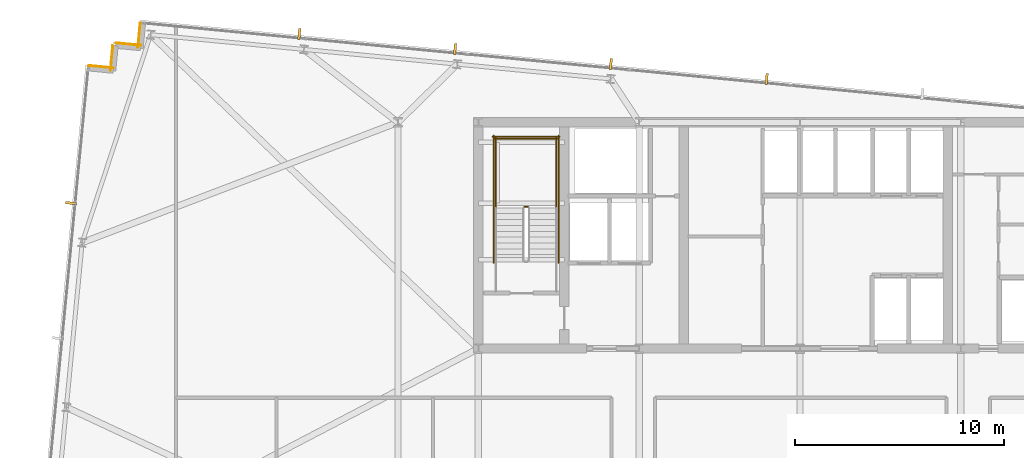
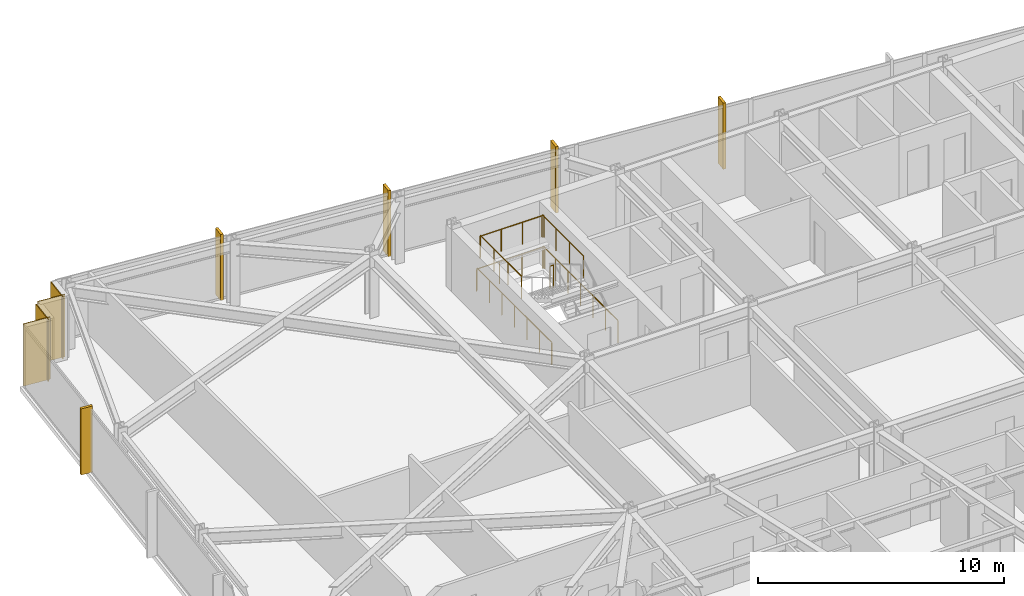
# One storey, part 36 of 37: 7 railings, 5 shading devices, 4 coverings.
"""IFC4 building model written with IfcOpenShell, lengths in metres."""

from ifc_helpers import new_model, si_unit, direction, frame, frame_2d, origin, origin_2d, place, context, subcontext, project, spatial, rectangle, circle, extrude, material, layer, layer_set, type_object, element, save


model = new_model("IFC4")

# Units and contexts
model_context = context("Model", 3, precision=1e-05, world=origin(), true_north=direction((0.0, 1.0)))
body_context = subcontext(model_context, "Body", "Model", "MODEL_VIEW")
ifc_project = project(units=[si_unit("LENGTHUNIT", "METRE"), si_unit("AREAUNIT", "SQUARE_METRE"), si_unit("VOLUMEUNIT", "CUBIC_METRE"), si_unit("PLANEANGLEUNIT", "RADIAN"), si_unit("MASSUNIT", "GRAM", prefix="KILO")], contexts=[model_context])

# Site, building, storey
site_placement = place(None, origin())
site = spatial("IfcSite", under=ifc_project, at=site_placement, CompositionType="ELEMENT")
building_placement = place(site_placement, origin())
building = spatial("IfcBuilding", under=site, at=building_placement, Name="Yelkora Congress Tower", CompositionType="ELEMENT")
storey_placement = place(building_placement, frame((0.0, 0.0, 168.800048828125)))
storey = spatial("IfcBuildingStorey", under=building, at=storey_placement, Name="L46", CompositionType="ELEMENT", Elevation=168.800048828125)

# Coverings
ifc_material_1 = material(Name="Anatolian bush-hammered limestone", Category="masonry")
ifc_layer_1 = layer(ifc_material_1, 0.0400390625)
ifc_layer_set_1 = layer_set([ifc_layer_1], Name="Anatolian bush-hammered limestone")
covering_type = type_object("IfcCoveringType", Name="COV-CLAD-SPANDREL-40", PredefinedType="CLADDING", material=ifc_layer_set_1)
for number, where, z_axis, x_axis, name in (
    (1, (4.423583984375, 48.9130859375, 0.0), (0.0, 0.0, 1.0), (0.995398960025, -0.095817067274, 0.0), "L46 Anatolian Limestone Cladding EW-L46-SR06"),
    (2, (5.470703125, 48.676513671875, 0.0), (0.0, 0.0, 1.0), (0.095817067274, 0.995398960025, 0.0), "L46 Anatolian Limestone Cladding EW-L46-SR07"),
):
    element("IfcCovering", number, at=place(storey_placement, frame(where, z_axis=z_axis, x_axis=x_axis)), inside=storey, type_object=covering_type, Name=name, PredefinedType="CLADDING", context=body_context, shape_type="SweptSolid", body=[
        extrude(rectangle(XDim=1.2001953125, YDim=0.0400390625, at=frame_2d((0.60009765625, 0.0))), origin(), (0.0, 0.0, 1.0), 3.079833984375),
    ])
covering_1_placement = place(storey_placement, frame((5.733154296875, 49.992431640625, 0.0), z_axis=(0.0, 0.0, 1.0), x_axis=(0.995397091755, -0.095836473879, 0.0)))
element("IfcCovering", 3, at=covering_1_placement, inside=storey, type_object=covering_type, Name="L46 Anatolian Limestone Cladding EW-L46-SR08", PredefinedType="CLADDING", context=body_context, shape_type="SweptSolid", body=[
    extrude(rectangle(XDim=1.199951171875, YDim=0.0400390625, at=frame_2d((0.60009765625, 0.0))), origin(), (0.0, 0.0, 1.0), 3.079833984375),
])
covering_2_placement = place(storey_placement, frame((6.780029296875, 49.756103515625, 0.0), z_axis=(0.0, 0.0, 1.0), x_axis=(0.096018626938, 0.995379537303, 0.0)))
element("IfcCovering", 4, at=covering_2_placement, inside=storey, type_object=covering_type, Name="L46 Anatolian Limestone Cladding EW-L46-SR09", PredefinedType="CLADDING", context=body_context, shape_type="SweptSolid", body=[
    extrude(rectangle(XDim=1.2001953125, YDim=0.0400390625, at=frame_2d((0.60009765625, 0.0))), origin(), (0.0, 0.0, 1.0), 3.079833984375),
])

# Railings
ifc_material_2 = material(Name="Painted galvanised steel stair well guard with vertical infill", Category="steel")
ifc_layer_2 = layer(ifc_material_2, 0.06005859375)
ifc_layer_set_2 = layer_set([ifc_layer_2], Name="Painted galvanised steel stair well guard with vertical infill")
railing_type = type_object("IfcRailingType", Name="RAIL-STAIR-GUARD-1120", PredefinedType="GUARDRAIL", material=ifc_layer_set_2)
railing_1_placement = place(storey_placement, frame((25.39990234375, 42.169921875, 1.64990234375)))
element("IfcRailing", 5, at=railing_1_placement, inside=storey, type_object=railing_type, Name="ST-01 L46 Stair Well Guardrail 2", PredefinedType="GUARDRAIL", context=body_context, shape_type="SweptSolid", body=[
    extrude(circle(Radius=0.02392578125, at=origin_2d()), frame((0.0, 0.0, 1.09619140625), z_axis=(-1.0, 0.0, 0.0), x_axis=(0.0, -1.0, 0.0)), (0.0, 0.0, 1.0), 0.159912109375),
    extrude(circle(Radius=0.02099609375, at=origin_2d()), origin(), (0.0, 0.0, 1.0), 1.072021484375),
    extrude(circle(Radius=0.02099609375, at=origin_2d()), frame((-0.159912109375, 0.0, 0.0)), (0.0, 0.0, 1.0), 1.072021484375),
])
for number, where, name in (
    (6, (26.77001953125, 42.1201171875, 1.64990234375), "ST-01 L46 Stair Well Guardrail 3"),
    (7, (23.8701171875, 42.1201171875, 1.64990234375), "ST-01 L46 Stair Well Guardrail 4"),
):
    element("IfcRailing", number, at=place(storey_placement, frame(where)), inside=storey, type_object=railing_type, Name=name, PredefinedType="GUARDRAIL", context=body_context, shape_type="SweptSolid", body=[
        extrude(circle(Radius=0.02392578125, at=origin_2d()), frame((0.0, 0.0, 1.09619140625), z_axis=(0.0, 1.0, 0.0), x_axis=(-1.0, 0.0, 0.0)), (0.0, 0.0, 1.0), 3.349853515625),
        extrude(circle(Radius=0.02099609375, at=origin_2d()), origin(), (0.0, 0.0, 1.0), 1.072021484375),
        extrude(circle(Radius=0.02099609375, at=origin_2d()), frame((0.0, 1.11669921875, 0.0)), (0.0, 0.0, 1.0), 1.072021484375),
        extrude(circle(Radius=0.02099609375, at=origin_2d()), frame((0.0, 2.233154296875, 0.0)), (0.0, 0.0, 1.0), 1.072021484375),
        extrude(circle(Radius=0.02099609375, at=origin_2d()), frame((0.0, 3.349853515625, 0.0)), (0.0, 0.0, 1.0), 1.072021484375),
    ])
railing_2_placement = place(storey_placement, frame((26.820068359375, 45.419921875, 1.64990234375)))
element("IfcRailing", 8, at=railing_2_placement, inside=storey, type_object=railing_type, Name="ST-01 L46 Stair Well Guardrail 5", PredefinedType="GUARDRAIL", context=body_context, shape_type="SweptSolid", body=[
    extrude(circle(Radius=0.02392578125, at=origin_2d()), frame((0.0, 0.0, 1.09619140625), z_axis=(-1.0, 0.0, 0.0), x_axis=(0.0, -1.0, 0.0)), (0.0, 0.0, 1.0), 3.0),
    extrude(circle(Radius=0.02099609375, at=origin_2d()), origin(), (0.0, 0.0, 1.0), 1.072021484375),
    extrude(circle(Radius=0.02099609375, at=origin_2d()), frame((-1.0, 0.0, 0.0)), (0.0, 0.0, 1.0), 1.072021484375),
    extrude(circle(Radius=0.02099609375, at=origin_2d()), frame((-2.0, 0.0, 0.0)), (0.0, 0.0, 1.0), 1.072021484375),
    extrude(circle(Radius=0.02099609375, at=origin_2d()), frame((-3.0, 0.0, 0.0)), (0.0, 0.0, 1.0), 1.072021484375),
])
for number, where, name in (
    (9, (26.8701171875, 39.5, 0.0), "ST-01 L46 Stair Well Guardrail 10"),
    (10, (23.77001953125, 39.5, 0.0), "ST-01 L46 Stair Well Guardrail 11"),
):
    element("IfcRailing", number, at=place(storey_placement, frame(where)), inside=storey, type_object=railing_type, Name=name, PredefinedType="GUARDRAIL", context=body_context, shape_type="SweptSolid", body=[
        extrude(circle(Radius=0.02392578125, at=origin_2d()), frame((0.0, 0.0, 1.09619140625), z_axis=(0.0, 1.0, 0.0), x_axis=(-1.0, 0.0, 0.0)), (0.0, 0.0, 1.0), 6.070068359375),
        extrude(circle(Radius=0.02099609375, at=origin_2d()), origin(), (0.0, 0.0, 1.0), 1.072021484375),
        extrude(circle(Radius=0.02099609375, at=origin_2d()), frame((0.0, 1.01171875, 0.0)), (0.0, 0.0, 1.0), 1.072021484375),
        extrude(circle(Radius=0.02099609375, at=origin_2d()), frame((0.0, 2.0234375, 0.0)), (0.0, 0.0, 1.0), 1.072021484375),
        extrude(circle(Radius=0.02099609375, at=origin_2d()), frame((0.0, 3.03515625, 0.0)), (0.0, 0.0, 1.0), 1.072021484375),
        extrude(circle(Radius=0.02099609375, at=origin_2d()), frame((0.0, 4.046630859375, 0.0)), (0.0, 0.0, 1.0), 1.072021484375),
        extrude(circle(Radius=0.02099609375, at=origin_2d()), frame((0.0, 5.058349609375, 0.0)), (0.0, 0.0, 1.0), 1.072021484375),
        extrude(circle(Radius=0.02099609375, at=origin_2d()), frame((0.0, 6.070068359375, 0.0)), (0.0, 0.0, 1.0), 1.072021484375),
    ])
railing_3_placement = place(storey_placement, frame((26.919921875, 45.52001953125, 0.0)))
element("IfcRailing", 11, at=railing_3_placement, inside=storey, type_object=railing_type, Name="ST-01 L46 Stair Well Guardrail 12", PredefinedType="GUARDRAIL", context=body_context, shape_type="SweptSolid", body=[
    extrude(circle(Radius=0.02392578125, at=origin_2d()), frame((0.0, 0.0, 1.09619140625), z_axis=(-1.0, 0.0, 0.0), x_axis=(0.0, -1.0, 0.0)), (0.0, 0.0, 1.0), 3.199951171875),
    extrude(circle(Radius=0.02099609375, at=origin_2d()), origin(), (0.0, 0.0, 1.0), 1.072021484375),
    extrude(circle(Radius=0.02099609375, at=origin_2d()), frame((-1.066650390625, 0.0, 0.0)), (0.0, 0.0, 1.0), 1.072021484375),
    extrude(circle(Radius=0.02099609375, at=origin_2d()), frame((-2.13330078125, 0.0, 0.0)), (0.0, 0.0, 1.0), 1.072021484375),
    extrude(circle(Radius=0.02099609375, at=origin_2d()), frame((-3.199951171875, 0.0, 0.0)), (0.0, 0.0, 1.0), 1.072021484375),
])

# Shading devices
ifc_material_3 = material(Name="Champagne anodised aluminium", Category="aluminium")
ifc_layer_3 = layer(ifc_material_3, 3.300048828125)
ifc_layer_set_3 = layer_set([ifc_layer_3], Name="Champagne anodised aluminium")
shading_device_type = type_object("IfcShadingDeviceType", Name="SHD-FIN-ALU-520", PredefinedType="USERDEFINED", material=ifc_layer_set_3)
for number, where, z_axis, x_axis, name in (
    (12, (3.590087890625, 42.34375, -0.0302734375), (0.0, 0.0, 1.0), (0.09584575252, 0.995396198367, 0.0), "L46 Vertical Anodised Solar Fin 5-4"),
    (13, (14.48876953125, 50.42041015625, -0.0302734375), (0.0, 0.0, 1.0), (0.995396198367, -0.09584575252, 0.0), "L46 Vertical Anodised Solar Fin 10-1"),
    (14, (21.928466796875, 49.703857421875, -0.0302734375), (0.0, 0.0, 1.0), (0.995396198367, -0.09584575252, 0.0), "L46 Vertical Anodised Solar Fin 10-2"),
    (15, (29.368408203125, 48.987548828125, -0.0302734375), (0.0, 0.0, 1.0), (0.995396198367, -0.09584575252, 0.0), "L46 Vertical Anodised Solar Fin 10-3"),
    (16, (36.808349609375, 48.271240234375, -0.0302734375), (0.0, 0.0, 1.0), (0.995396198367, -0.09584575252, 0.0), "L46 Vertical Anodised Solar Fin 10-4"),
):
    element("IfcShadingDevice", number, at=place(storey_placement, frame(where, z_axis=z_axis, x_axis=x_axis)), inside=storey, type_object=shading_device_type, Name=name, ObjectType="FIN", PredefinedType="USERDEFINED", context=body_context, shape_type="SweptSolid", body=[
        extrude(rectangle(XDim=0.1201171875, YDim=0.52001953125, at=origin_2d()), origin(), (0.0, 0.0, 1.0), 3.280029296875),
    ])

save(model, "model.ifc")
